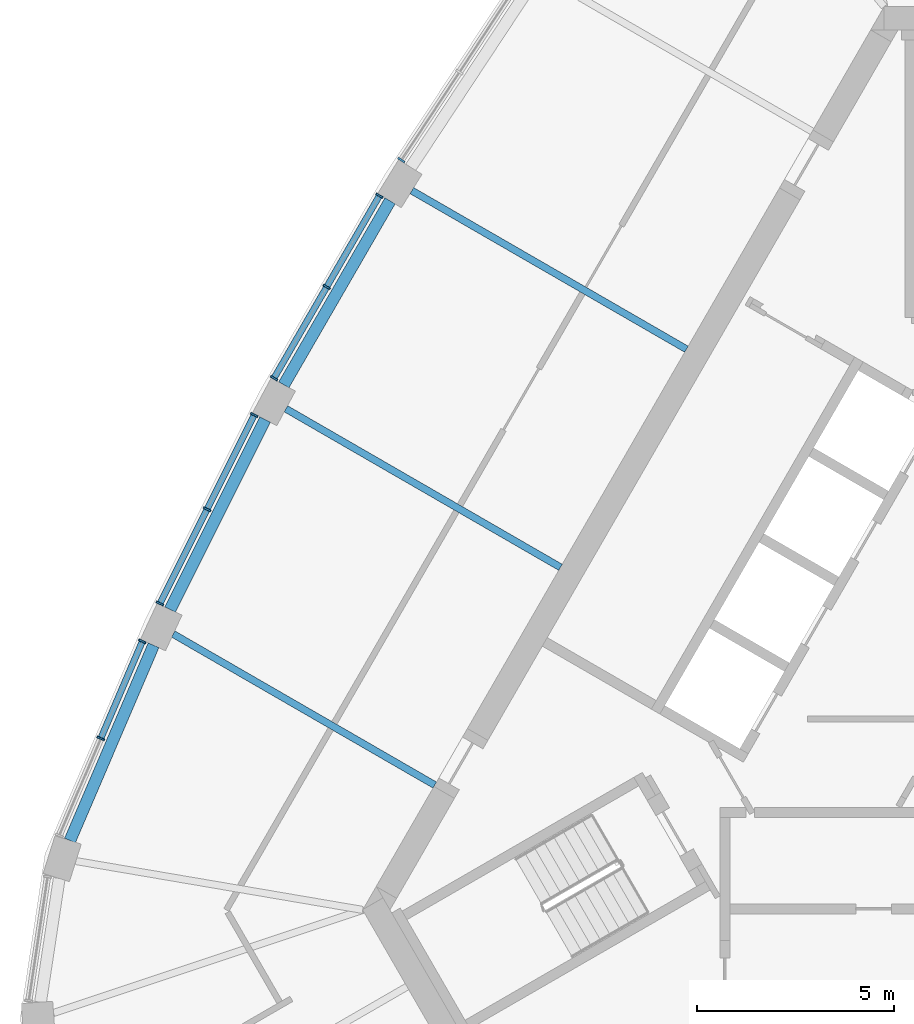
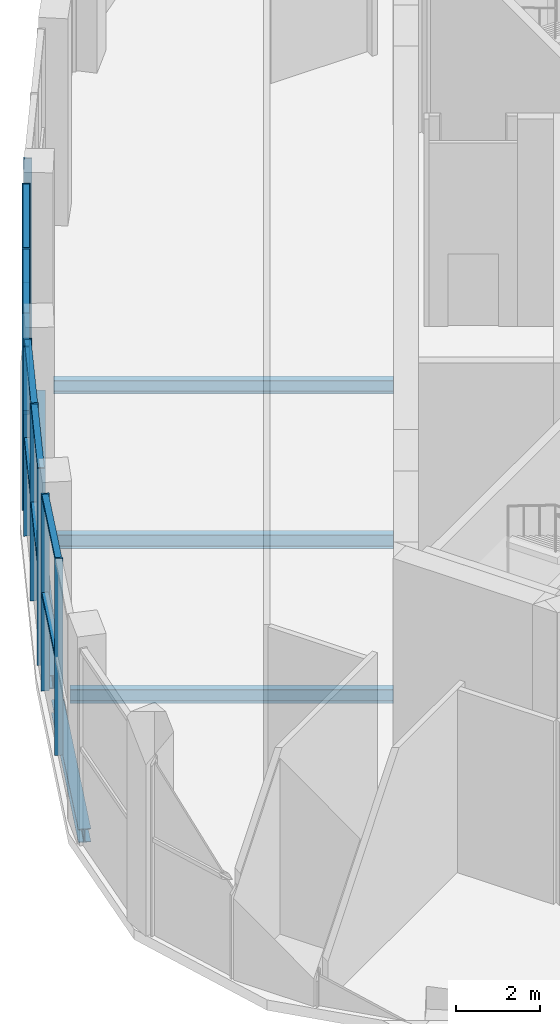
# One storey, part 4 of 15: 19 members, 6 beams, 1 element without a shape of its own.
"""IFC4 building model written with IfcOpenShell, lengths in metres."""

from ifc_helpers import new_model, si_unit, direction, frame, origin, origin_2d, place, context, subcontext, project, spatial, rectangle, i_section, extrude, material, material_profile, profile_set, type_object, element, aggregate, save


model = new_model("IFC4")

# Units and contexts
model_context = context("Model", 3, precision=1e-05, world=origin(), true_north=direction((0.0, 1.0)))
body_context = subcontext(model_context, "Body", "Model", "MODEL_VIEW")
ifc_project = project(units=[si_unit("LENGTHUNIT", "METRE"), si_unit("AREAUNIT", "SQUARE_METRE"), si_unit("VOLUMEUNIT", "CUBIC_METRE"), si_unit("PLANEANGLEUNIT", "RADIAN"), si_unit("MASSUNIT", "GRAM", prefix="KILO")], contexts=[model_context])

# Site, building, storey
site_placement = place(None, origin())
site = spatial("IfcSite", under=ifc_project, at=site_placement, CompositionType="ELEMENT")
building_placement = place(site_placement, origin())
building = spatial("IfcBuilding", under=site, at=building_placement, Name="Mestral Congress Tower", CompositionType="ELEMENT")
storey_placement = place(building_placement, frame((0.0, 0.0, 321.60009765625)))
storey = spatial("IfcBuildingStorey", under=building, at=storey_placement, Name="L75", CompositionType="ELEMENT", Elevation=321.60009765625)

# Curtain wall, members
ifc_material_1 = material(Name="Clear low-emissivity double glazing", Category="glass")
curtain_wall_type = type_object("IfcCurtainWallType", Name="Facade lookout lounge curtain wall", PredefinedType="USERDEFINED", material=ifc_material_1)
curtain_wall_placement = place(storey_placement, origin())
curtain_wall = element("IfcCurtainWall", 1, at=curtain_wall_placement, inside=storey, type_object=curtain_wall_type, Name="Facade lookout lounge curtain wall face 3", ObjectType="CURTAIN WALL", PredefinedType="USERDEFINED")
ifc_material_2 = material(Name="Anodised aluminium", Category="aluminium")
ifc_material_profile_1 = material_profile(ifc_material_2, rectangle(XDim=0.199951171875, YDim=0.050048828125, at=origin_2d()), Name="CW2 mullion 200 x 50")
ifc_profile_set_1 = profile_set([ifc_material_profile_1], Name="Anodised aluminium")
member_type_1 = type_object("IfcMemberType", Name="Facade lookout lounge curtain wall mullion", PredefinedType="MULLION", material=ifc_profile_set_1)
member_1_placement = place(storey_placement, frame((-14.519287109375, 12.698974609375, 0.0), z_axis=(0.0, 0.0, 1.0), x_axis=(-0.834674883443, 0.550742988107, 0.0)))
member_1 = element("IfcMember", 2, at=member_1_placement, type_object=member_type_1, Name="Facade lookout lounge curtain wall mullion", PredefinedType="MULLION", context=body_context, shape_type="SweptSolid", body=[
    extrude(rectangle(XDim=0.199951171875, YDim=0.050048828125, at=origin_2d()), origin(), (0.0, 0.0, 1.0), 5.699951171875),
])
member_2_placement = place(storey_placement, frame((-15.07666015625, 11.796875, 0.0), z_axis=(0.0, 0.0, 1.0), x_axis=(-0.866021913105, 0.500006045986, 0.0)))
member_2 = element("IfcMember", 3, at=member_2_placement, type_object=member_type_1, Name="Facade lookout lounge curtain wall mullion", PredefinedType="MULLION", context=body_context, shape_type="SweptSolid", body=[
    extrude(rectangle(XDim=0.199951171875, YDim=0.050048828125, at=origin_2d()), origin(), (0.0, 0.0, 1.0), 5.699951171875),
])
member_3_placement = place(storey_placement, frame((-16.415771484375, 9.4775390625, 0.0), z_axis=(0.0, 0.0, 1.0), x_axis=(-0.866021913105, 0.500006045986, 0.0)))
member_3 = element("IfcMember", 4, at=member_3_placement, type_object=member_type_1, Name="Facade lookout lounge curtain wall mullion", PredefinedType="MULLION", context=body_context, shape_type="SweptSolid", body=[
    extrude(rectangle(XDim=0.199951171875, YDim=0.050048828125, at=origin_2d()), origin(), (0.0, 0.0, 1.0), 5.699951171875),
])
member_4_placement = place(storey_placement, frame((-17.754638671875, 7.158447265625, 0.0), z_axis=(0.0, 0.0, 1.0), x_axis=(-0.866021913105, 0.500006045986, 0.0)))
member_4 = element("IfcMember", 5, at=member_4_placement, type_object=member_type_1, Name="Facade lookout lounge curtain wall mullion", PredefinedType="MULLION", context=body_context, shape_type="SweptSolid", body=[
    extrude(rectangle(XDim=0.199951171875, YDim=0.050048828125, at=origin_2d()), origin(), (0.0, 0.0, 1.0), 5.699951171875),
])
member_5_placement = place(storey_placement, frame((-18.25732421875, 6.224609375, 0.0), z_axis=(0.0, 0.0, 1.0), x_axis=(-0.89429954631, 0.447468793851, 0.0)))
member_5 = element("IfcMember", 6, at=member_5_placement, type_object=member_type_1, Name="Facade lookout lounge curtain wall mullion", PredefinedType="MULLION", context=body_context, shape_type="SweptSolid", body=[
    extrude(rectangle(XDim=0.199951171875, YDim=0.050048828125, at=origin_2d()), origin(), (0.0, 0.0, 1.0), 5.699951171875),
])
member_6_placement = place(storey_placement, frame((-19.455810546875, 3.82958984375, 0.0), z_axis=(0.0, 0.0, 1.0), x_axis=(-0.89429954631, 0.447468793851, 0.0)))
member_6 = element("IfcMember", 7, at=member_6_placement, type_object=member_type_1, Name="Facade lookout lounge curtain wall mullion", PredefinedType="MULLION", context=body_context, shape_type="SweptSolid", body=[
    extrude(rectangle(XDim=0.199951171875, YDim=0.050048828125, at=origin_2d()), origin(), (0.0, 0.0, 1.0), 5.699951171875),
])
member_7_placement = place(storey_placement, frame((-20.654052734375, 1.434814453125, 0.0), z_axis=(0.0, 0.0, 1.0), x_axis=(-0.89429954631, 0.447468793851, 0.0)))
member_7 = element("IfcMember", 8, at=member_7_placement, type_object=member_type_1, Name="Facade lookout lounge curtain wall mullion", PredefinedType="MULLION", context=body_context, shape_type="SweptSolid", body=[
    extrude(rectangle(XDim=0.199951171875, YDim=0.050048828125, at=origin_2d()), origin(), (0.0, 0.0, 1.0), 5.699951171875),
])
member_8_placement = place(storey_placement, frame((-21.10009765625, 0.472412109375, 0.0), z_axis=(0.0, 0.0, 1.0), x_axis=(-0.919386111527, 0.39335629896, 0.0)))
member_8 = element("IfcMember", 9, at=member_8_placement, type_object=member_type_1, Name="Facade lookout lounge curtain wall mullion", PredefinedType="MULLION", context=body_context, shape_type="SweptSolid", body=[
    extrude(rectangle(XDim=0.199951171875, YDim=0.050048828125, at=origin_2d()), origin(), (0.0, 0.0, 1.0), 5.699951171875),
])
member_9_placement = place(storey_placement, frame((-22.1552734375, -1.99365234375, 0.0), z_axis=(0.0, 0.0, 1.0), x_axis=(-0.919386111527, 0.39335629896, 0.0)))
member_9 = element("IfcMember", 10, at=member_9_placement, type_object=member_type_1, Name="Facade lookout lounge curtain wall mullion", PredefinedType="MULLION", context=body_context, shape_type="SweptSolid", body=[
    extrude(rectangle(XDim=0.199951171875, YDim=0.050048828125, at=origin_2d()), origin(), (0.0, 0.0, 1.0), 5.699951171875),
])
ifc_material_profile_2 = material_profile(ifc_material_2, rectangle(XDim=0.159912109375, YDim=0.1201171875, at=origin_2d()), Name="CW2 transom 160 x 120")
ifc_profile_set_2 = profile_set([ifc_material_profile_2], Name="Anodised aluminium")
member_type_2 = type_object("IfcMemberType", Name="Facade lookout lounge curtain wall transom", PredefinedType="USERDEFINED", material=ifc_profile_set_2)
member_10_placement = place(storey_placement, frame((-15.089111328125, 11.775146484375, 2.7998046875), z_axis=(-0.500065546168, -0.86598755738, 0.0), x_axis=(0.86598755738, -0.500065546168, 0.0)))
member_10 = element("IfcMember", 11, at=member_10_placement, type_object=member_type_2, Name="Facade lookout lounge curtain wall transom", ObjectType="TRANSOM", PredefinedType="USERDEFINED", context=body_context, shape_type="SweptSolid", body=[
    extrude(rectangle(XDim=0.159912109375, YDim=0.1201171875, at=origin_2d()), origin(), (0.0, 0.0, 1.0), 2.628173828125),
])
member_11_placement = place(storey_placement, frame((-15.089111328125, 11.775146484375, 5.639892578125), z_axis=(-0.500065546168, -0.86598755738, 0.0), x_axis=(0.86598755738, -0.500065546168, 0.0)))
member_11 = element("IfcMember", 12, at=member_11_placement, type_object=member_type_2, Name="Facade lookout lounge curtain wall transom", ObjectType="TRANSOM", PredefinedType="USERDEFINED", context=body_context, shape_type="SweptSolid", body=[
    extrude(rectangle(XDim=0.159912109375, YDim=0.1201171875, at=origin_2d()), origin(), (0.0, 0.0, 1.0), 2.628173828125),
])
member_12_placement = place(storey_placement, frame((-16.42822265625, 9.455810546875, 2.7998046875), z_axis=(-0.500036104519, -0.866004557827, 0.0), x_axis=(0.866004557827, -0.500036104519, 0.0)))
member_12 = element("IfcMember", 13, at=member_12_placement, type_object=member_type_2, Name="Facade lookout lounge curtain wall transom", ObjectType="TRANSOM", PredefinedType="USERDEFINED", context=body_context, shape_type="SweptSolid", body=[
    extrude(rectangle(XDim=0.159912109375, YDim=0.1201171875, at=origin_2d()), origin(), (0.0, 0.0, 1.0), 2.627685546875),
])
member_13_placement = place(storey_placement, frame((-16.42822265625, 9.455810546875, 5.639892578125), z_axis=(-0.500036104519, -0.866004557827, 0.0), x_axis=(0.866004557827, -0.500036104519, 0.0)))
member_13 = element("IfcMember", 14, at=member_13_placement, type_object=member_type_2, Name="Facade lookout lounge curtain wall transom", ObjectType="TRANSOM", PredefinedType="USERDEFINED", context=body_context, shape_type="SweptSolid", body=[
    extrude(rectangle(XDim=0.159912109375, YDim=0.1201171875, at=origin_2d()), origin(), (0.0, 0.0, 1.0), 2.627685546875),
])
member_14_placement = place(storey_placement, frame((-18.2685546875, 6.2021484375, 2.7998046875), z_axis=(-0.447510858475, -0.894278497755, 0.0), x_axis=(0.894278497755, -0.447510858475, 0.0)))
member_14 = element("IfcMember", 15, at=member_14_placement, type_object=member_type_2, Name="Facade lookout lounge curtain wall transom", ObjectType="TRANSOM", PredefinedType="USERDEFINED", context=body_context, shape_type="SweptSolid", body=[
    extrude(rectangle(XDim=0.159912109375, YDim=0.1201171875, at=origin_2d()), origin(), (0.0, 0.0, 1.0), 2.6279296875),
])
member_15_placement = place(storey_placement, frame((-18.2685546875, 6.2021484375, 5.639892578125), z_axis=(-0.447510858475, -0.894278497755, 0.0), x_axis=(0.894278497755, -0.447510858475, 0.0)))
member_15 = element("IfcMember", 16, at=member_15_placement, type_object=member_type_2, Name="Facade lookout lounge curtain wall transom", ObjectType="TRANSOM", PredefinedType="USERDEFINED", context=body_context, shape_type="SweptSolid", body=[
    extrude(rectangle(XDim=0.159912109375, YDim=0.1201171875, at=origin_2d()), origin(), (0.0, 0.0, 1.0), 2.6279296875),
])
member_16_placement = place(storey_placement, frame((-19.466796875, 3.807373046875, 2.7998046875), z_axis=(-0.447473681699, -0.894297100625, 0.0), x_axis=(0.894297100625, -0.447473681699, 0.0)))
member_16 = element("IfcMember", 17, at=member_16_placement, type_object=member_type_2, Name="Facade lookout lounge curtain wall transom", ObjectType="TRANSOM", PredefinedType="USERDEFINED", context=body_context, shape_type="SweptSolid", body=[
    extrude(rectangle(XDim=0.159912109375, YDim=0.1201171875, at=origin_2d()), origin(), (0.0, 0.0, 1.0), 2.628173828125),
])
member_17_placement = place(storey_placement, frame((-19.466796875, 3.807373046875, 5.639892578125), z_axis=(-0.447473681699, -0.894297100625, 0.0), x_axis=(0.894297100625, -0.447473681699, 0.0)))
member_17 = element("IfcMember", 18, at=member_17_placement, type_object=member_type_2, Name="Facade lookout lounge curtain wall transom", ObjectType="TRANSOM", PredefinedType="USERDEFINED", context=body_context, shape_type="SweptSolid", body=[
    extrude(rectangle(XDim=0.159912109375, YDim=0.1201171875, at=origin_2d()), origin(), (0.0, 0.0, 1.0), 2.628173828125),
])
member_18_placement = place(storey_placement, frame((-21.10986328125, 0.449462890625, 2.7998046875), z_axis=(-0.393415549329, -0.919360759194, 0.0), x_axis=(0.919360759194, -0.393415549329, 0.0)))
member_18 = element("IfcMember", 19, at=member_18_placement, type_object=member_type_2, Name="Facade lookout lounge curtain wall transom", ObjectType="TRANSOM", PredefinedType="USERDEFINED", context=body_context, shape_type="SweptSolid", body=[
    extrude(rectangle(XDim=0.159912109375, YDim=0.1201171875, at=origin_2d()), origin(), (0.0, 0.0, 1.0), 2.63232421875),
])
member_19_placement = place(storey_placement, frame((-21.10986328125, 0.449462890625, 5.639892578125), z_axis=(-0.393415549329, -0.919360759194, 0.0), x_axis=(0.919360759194, -0.393415549329, 0.0)))
member_19 = element("IfcMember", 20, at=member_19_placement, type_object=member_type_2, Name="Facade lookout lounge curtain wall transom", ObjectType="TRANSOM", PredefinedType="USERDEFINED", context=body_context, shape_type="SweptSolid", body=[
    extrude(rectangle(XDim=0.159912109375, YDim=0.1201171875, at=origin_2d()), origin(), (0.0, 0.0, 1.0), 2.63232421875),
])
aggregate(curtain_wall, [member_1, member_2, member_3, member_4, member_10, member_11, member_12, member_13, member_5, member_6, member_7, member_14, member_15, member_16, member_17, member_8, member_9, member_18, member_19])

# Beams
ifc_material_3 = material(Name="Steel S355", Category="steel")
ifc_material_profile_3 = material_profile(ifc_material_3, i_section(OverallWidth=0.179931640625, OverallDepth=0.39990234375, WebThickness=0.008544921875, FlangeThickness=0.013427734375, FilletRadius=0.02099609375, at=origin_2d()), Name="IPE 400")
ifc_profile_set_3 = profile_set([ifc_material_profile_3], Name="Steel S355")
beam_type_1 = type_object("IfcBeamType", Name="Floor beam IPE 400 S355", PredefinedType="BEAM", material=ifc_profile_set_3)
for number, where, z_axis, x_axis, name in (
    (21, (-14.2529296875, 11.92333984375, -0.5), (0.866033662086, -0.499985695929, 0.0), (0.499985695929, 0.866033662086, 0.0), "BM-L75-RB5-W02"),
    (22, (-17.452392578125, 6.381591796875, -0.5), (0.866020537834, -0.500008427979, 0.0), (0.500008427979, 0.866020537834, 0.0), "BM-L75-RB5-W03"),
):
    element("IfcBeam", number, at=place(storey_placement, frame(where, z_axis=z_axis, x_axis=x_axis)), inside=storey, type_object=beam_type_1, Name=name, PredefinedType="BEAM", context=body_context, shape_type="SweptSolid", body=[
        extrude(i_section(OverallWidth=0.179931640625, OverallDepth=0.39990234375, WebThickness=0.008544921875, FlangeThickness=0.013427734375, FilletRadius=0.02099609375, at=origin_2d()), origin(), (0.0, 0.0, 1.0), 8.054931640625),
    ])
beam_1_placement = place(storey_placement, frame((-20.314697265625, 0.658447265625, -0.5), z_axis=(0.866019720907, -0.500009842903, 0.0), x_axis=(0.500009842903, 0.866019720907, 0.0)))
element("IfcBeam", 23, at=beam_1_placement, inside=storey, type_object=beam_type_1, Name="BM-L75-RB5-W04", PredefinedType="BEAM", context=body_context, shape_type="SweptSolid", body=[
    extrude(i_section(OverallWidth=0.179931640625, OverallDepth=0.39990234375, WebThickness=0.008544921875, FlangeThickness=0.013427734375, FilletRadius=0.02099609375, at=origin_2d()), origin(), (0.0, 0.0, 1.0), 7.672119140625),
])
ifc_material_profile_4 = material_profile(ifc_material_3, i_section(OverallWidth=0.300048828125, OverallDepth=0.389892578125, WebThickness=0.010986328125, FlangeThickness=0.01904296875, FilletRadius=0.027099609375, at=origin_2d()), Name="HEA 400")
ifc_profile_set_4 = profile_set([ifc_material_profile_4], Name="Steel S355")
beam_type_2 = type_object("IfcBeamType", Name="Spandrel beam HEA 400 S355", PredefinedType="BEAM", material=ifc_profile_set_4)
beam_2_placement = place(storey_placement, frame((-14.80615234375, 11.665283203125, -0.4951171875), z_axis=(-0.500025177812, -0.86601086688, 0.0), x_axis=(0.86601086688, -0.500025177812, 0.0)))
element("IfcBeam", 24, at=beam_2_placement, inside=storey, type_object=beam_type_2, Name="SP-L75-SB5-W02", PredefinedType="BEAM", context=body_context, shape_type="SweptSolid", body=[
    extrude(i_section(OverallWidth=0.300048828125, OverallDepth=0.389892578125, WebThickness=0.010986328125, FlangeThickness=0.01904296875, FilletRadius=0.027099609375, at=origin_2d()), origin(), (0.0, 0.0, 1.0), 5.398681640625),
])
beam_3_placement = place(storey_placement, frame((-17.9794921875, 6.109375, -0.4951171875), z_axis=(-0.44748491494, -0.894291479832, 0.0), x_axis=(0.894291479832, -0.44748491494, 0.0)))
element("IfcBeam", 25, at=beam_3_placement, inside=storey, type_object=beam_type_2, Name="SP-L75-SB5-W03", PredefinedType="BEAM", context=body_context, shape_type="SweptSolid", body=[
    extrude(i_section(OverallWidth=0.300048828125, OverallDepth=0.389892578125, WebThickness=0.010986328125, FlangeThickness=0.01904296875, FilletRadius=0.027099609375, at=origin_2d()), origin(), (0.0, 0.0, 1.0), 5.3984375),
])
beam_4_placement = place(storey_placement, frame((-20.815673828125, 0.374267578125, -0.4951171875), z_axis=(-0.393367759324, -0.919381208164, 0.0), x_axis=(0.919381208164, -0.393367759324, 0.0)))
element("IfcBeam", 26, at=beam_4_placement, inside=storey, type_object=beam_type_2, Name="SP-L75-SB5-W04", PredefinedType="BEAM", context=body_context, shape_type="SweptSolid", body=[
    extrude(i_section(OverallWidth=0.300048828125, OverallDepth=0.389892578125, WebThickness=0.010986328125, FlangeThickness=0.01904296875, FilletRadius=0.027099609375, at=origin_2d()), origin(), (0.0, 0.0, 1.0), 5.396484375),
])

save(model, "model.ifc")
